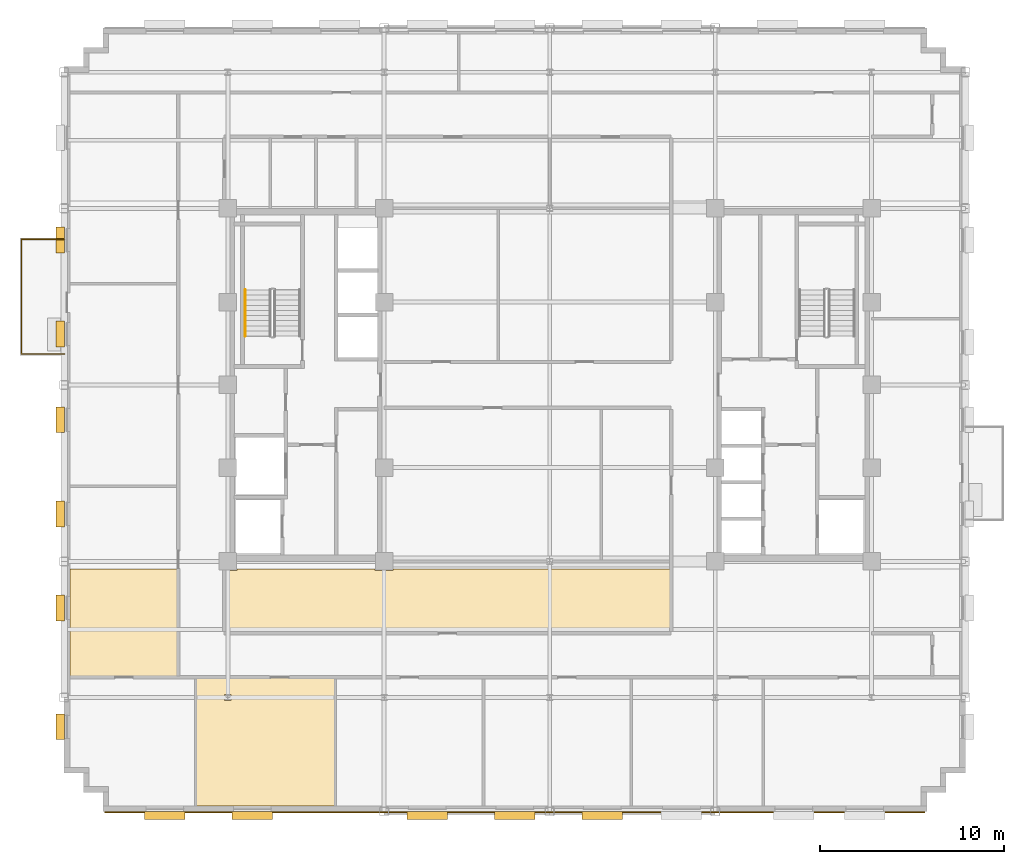
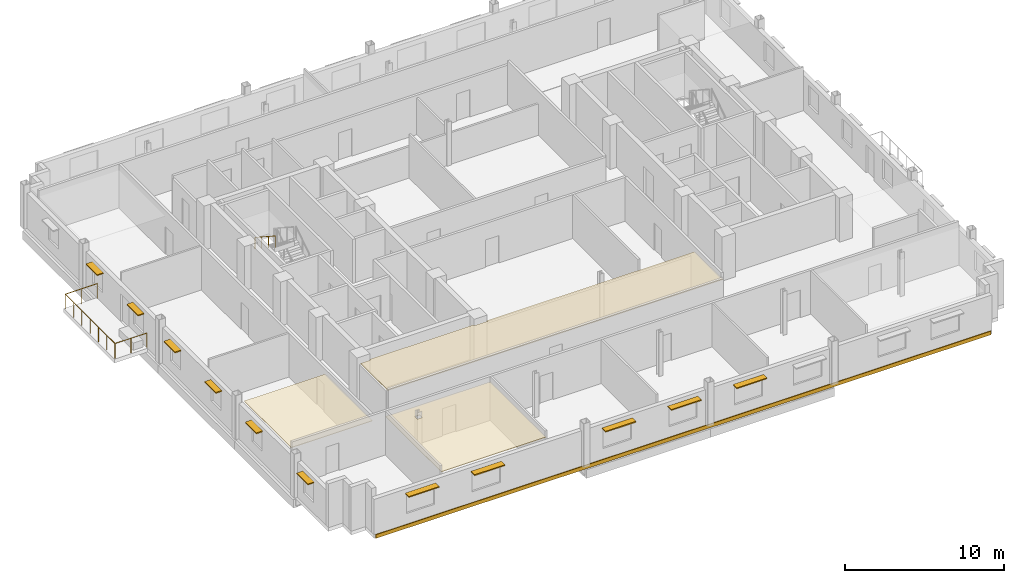
# One storey, part 12 of 15: 11 shading devices, 4 coverings, 2 railings.
"""IFC4 building model written with IfcOpenShell, lengths in metres."""

from ifc_helpers import new_model, si_unit, direction, frame, origin, origin_2d, place, context, subcontext, project, spatial, polyline, rectangle, circle, outline, extrude, source, transform, mapped, material, layer, layer_set, type_object, type_shapes, element, save


model = new_model("IFC4")

# Units and contexts
model_context = context("Model", 3, precision=1e-05, world=origin(), true_north=direction((0.0, 1.0)))
body_context = subcontext(model_context, "Body", "Model", "MODEL_VIEW")
ifc_project = project(units=[si_unit("LENGTHUNIT", "METRE"), si_unit("AREAUNIT", "SQUARE_METRE"), si_unit("VOLUMEUNIT", "CUBIC_METRE"), si_unit("PLANEANGLEUNIT", "RADIAN"), si_unit("MASSUNIT", "GRAM", prefix="KILO")], contexts=[model_context])

# Site, building, storey
site_placement = place(None, origin())
site = spatial("IfcSite", under=ifc_project, at=site_placement, CompositionType="ELEMENT")
building_placement = place(site_placement, origin())
building = spatial("IfcBuilding", under=site, at=building_placement, Name="Nuvemarco Arch Tower", CompositionType="ELEMENT")
storey_placement = place(building_placement, frame((0.0, 0.0, 198.199951171875)))
storey = spatial("IfcBuildingStorey", under=building, at=storey_placement, Name="L52", CompositionType="ELEMENT", Elevation=198.199951171875)

# Coverings
ifc_material_1 = material(Name="Mineral acoustic ceiling tile")
ifc_layer_1 = layer(ifc_material_1, 0.0400390625, Name="COV-ACOUSTIC-CLG")
ifc_layer_set_1 = layer_set([ifc_layer_1], Name="Mineral acoustic ceiling tile")
covering_type_1 = type_object("IfcCoveringType", Name="COV-ACOUSTIC-CLG", PredefinedType="CEILING", material=ifc_layer_set_1)
covering_1_placement = place(storey_placement, frame((0.0, 0.0, 2.85009765625)))
element("IfcCovering", 1, at=covering_1_placement, inside=storey, type_object=covering_type_1, Name="L52 suspended acoustic ceiling 1", PredefinedType="CEILING", context=body_context, shape_type="SweptSolid", body=[
    extrude(outline(polyline([(-9.489990234375, -10.090087890625), (-8.510009765625, -10.090087890625), (-8.510009765625, -10.0), (6.60009765625, -10.0), (6.60009765625, -13.5), (-17.699951171875, -13.5), (-17.699951171875, -10.090087890625), (-17.010009765625, -10.090087890625), (-17.010009765625, -10.0), (-9.489990234375, -10.0), (-9.489990234375, -10.090087890625)])), origin(), (0.0, 0.0, 1.0), 0.0400390625),
])
covering_2_placement = place(storey_placement, frame((0.0, 0.0, 2.85009765625)))
element("IfcCovering", 2, at=covering_2_placement, inside=storey, type_object=covering_type_1, Name="L52 suspended acoustic ceiling 6", PredefinedType="CEILING", context=body_context, shape_type="SweptSolid", body=[
    extrude(outline(polyline([(-20.199951171875, -15.89990234375), (-26.090087890625, -15.89990234375), (-26.090087890625, -10.0), (-20.199951171875, -10.0), (-20.199951171875, -13.5), (-20.199951171875, -15.89990234375)])), origin(), (0.0, 0.0, 1.0), 0.0400390625),
])
covering_3_placement = place(storey_placement, frame((0.0, 0.0, 2.85009765625)))
element("IfcCovering", 3, at=covering_3_placement, inside=storey, type_object=covering_type_1, Name="L52 suspended acoustic ceiling 8", PredefinedType="CEILING", context=body_context, shape_type="SweptSolid", body=[
    extrude(outline(polyline([(-11.64990234375, -22.889892578125), (-19.25, -22.889892578125), (-19.25, -15.89990234375), (-17.699951171875, -15.89990234375), (-11.64990234375, -15.89990234375), (-11.64990234375, -22.889892578125)]), holes=[polyline([(-17.330078125, -16.830078125), (-17.669921875, -16.830078125), (-17.669921875, -17.169921875), (-17.330078125, -17.169921875), (-17.330078125, -16.830078125)])]), origin(), (0.0, 0.0, 1.0), 0.0400390625),
])

# Railings
ifc_material_2 = material(Name="Brushed stainless steel handrail", Category="steel")
railing_type_1 = type_object("IfcRailingType", Name="RL-HANDRAIL-900", PredefinedType="HANDRAIL", material=ifc_material_2)
railing_1_placement = place(storey_placement, frame((-16.550048828125, 5.169921875, 2.007568359375)))
element("IfcRailing", 4, at=railing_1_placement, inside=storey, type_object=railing_type_1, Name="L52 ST-1 stair handrail 2", PredefinedType="HANDRAIL", context=body_context, shape_type="SweptSolid", body=[
    extrude(circle(Radius=0.02392578125, at=origin_2d()), frame((0.0, 0.0, 0.8759765625), z_axis=(0.0, -0.837749427056, 0.546054848405), x_axis=(1.0, 0.0, 0.0)), (0.0, 0.0, 1.0), 3.008056640625),
    extrude(circle(Radius=0.02099609375, at=origin_2d()), origin(), (0.0, 0.0, 1.0), 0.851806640625),
    extrude(circle(Radius=0.02099609375, at=origin_2d()), frame((0.0, -0.840087890625, 0.547607421875)), (0.0, 0.0, 1.0), 0.851806640625),
    extrude(circle(Radius=0.02099609375, at=origin_2d()), frame((0.0, -1.679931640625, 1.094970703125)), (0.0, 0.0, 1.0), 0.851806640625),
    extrude(circle(Radius=0.02099609375, at=origin_2d()), frame((0.0, -2.52001953125, 1.642578125)), (0.0, 0.0, 1.0), 0.851806640625),
])
ifc_material_3 = material(Name="Dark anodised balustrade steel S355", Category="steel")
railing_type_2 = type_object("IfcRailingType", Name="RL-TERR-GUARD", PredefinedType="BALUSTRADE", material=ifc_material_3)
railing_2_placement = place(storey_placement, frame((-26.39990234375, 1.679931640625, 0.0)))
element("IfcRailing", 5, at=railing_2_placement, inside=storey, type_object=railing_type_2, Name="L52 spiral terrace perimeter balustrade guard", PredefinedType="BALUSTRADE", context=body_context, shape_type="SweptSolid", body=[
    extrude(circle(Radius=0.02392578125, at=origin_2d()), frame((0.0, 0.0, 1.1259765625), z_axis=(-1.0, 0.0, 0.0), x_axis=(0.0, -1.0, 0.0)), (0.0, 0.0, 1.0), 2.320068359375),
    extrude(circle(Radius=0.02392578125, at=origin_2d()), frame((-2.320068359375, 0.0, 1.1259765625), z_axis=(0.0, 1.0, 0.0), x_axis=(-1.0, 0.0, 0.0)), (0.0, 0.0, 1.0), 6.239990234375),
    extrude(circle(Radius=0.02392578125, at=origin_2d()), frame((-2.320068359375, 6.239990234375, 1.1259765625), z_axis=(1.0, 0.0, 0.0), x_axis=(0.0, 1.0, 0.0)), (0.0, 0.0, 1.0), 2.320068359375),
    extrude(circle(Radius=0.02099609375, at=origin_2d()), origin(), (0.0, 0.0, 1.0), 1.101806640625),
    extrude(circle(Radius=0.02099609375, at=origin_2d()), frame((-1.16015625, 0.0, 0.0)), (0.0, 0.0, 1.0), 1.101806640625),
    extrude(circle(Radius=0.02099609375, at=origin_2d()), frame((-2.320068359375, 0.0, 0.0)), (0.0, 0.0, 1.0), 1.101806640625),
    extrude(circle(Radius=0.02099609375, at=origin_2d()), frame((-2.320068359375, 1.0400390625, 0.0)), (0.0, 0.0, 1.0), 1.101806640625),
    extrude(circle(Radius=0.02099609375, at=origin_2d()), frame((-2.320068359375, 2.080078125, 0.0)), (0.0, 0.0, 1.0), 1.101806640625),
    extrude(circle(Radius=0.02099609375, at=origin_2d()), frame((-2.320068359375, 3.1201171875, 0.0)), (0.0, 0.0, 1.0), 1.101806640625),
    extrude(circle(Radius=0.02099609375, at=origin_2d()), frame((-2.320068359375, 4.159912109375, 0.0)), (0.0, 0.0, 1.0), 1.101806640625),
    extrude(circle(Radius=0.02099609375, at=origin_2d()), frame((-2.320068359375, 5.199951171875, 0.0)), (0.0, 0.0, 1.0), 1.101806640625),
    extrude(circle(Radius=0.02099609375, at=origin_2d()), frame((-2.320068359375, 6.239990234375, 0.0)), (0.0, 0.0, 1.0), 1.101806640625),
    extrude(circle(Radius=0.02099609375, at=origin_2d()), frame((-1.16015625, 6.239990234375, 0.0)), (0.0, 0.0, 1.0), 1.101806640625),
    extrude(circle(Radius=0.02099609375, at=origin_2d()), frame((0.0, 6.239990234375, 0.0)), (0.0, 0.0, 1.0), 1.101806640625),
])

# Shading devices
ifc_material_4 = material(Name="Anodised aluminium 6063-T6", Category="aluminium")
shading_device_type_1 = type_object("IfcShadingDeviceType", Name="SHD-BRISE-SOLEIL", PredefinedType="USERDEFINED", material=ifc_material_4)
shared_shape_1 = source(origin(), body_context, "Body", "SweptSolid", [
    extrude(rectangle(XDim=2.199951171875, YDim=0.449951171875, at=origin_2d()), origin(), (0.0, 0.0, 1.0), 0.080078125),
])
type_shapes(shading_device_type_1, [shared_shape_1])
for number, where, z_axis, x_axis, name in (
    (6, (-20.922119140625, -23.4150390625, 2.324951171875), (0.0, 0.0, 1.0), (1.0, 0.0, 0.0), "L52 horizontal brise-soleil sunshade"),
    (7, (-16.166748046875, -23.4150390625, 2.324951171875), (0.0, 0.0, 1.0), (1.0, 0.0, 0.0), "L52 horizontal brise-soleil sunshade"),
    (8, (-6.655517578125, -23.4150390625, 2.324951171875), (0.0, 0.0, 1.0), (1.0, 0.0, 0.0), "L52 horizontal brise-soleil sunshade"),
    (9, (-1.89990234375, -23.4150390625, 2.324951171875), (0.0, 0.0, 1.0), (1.0, 0.0, 0.0), "L52 horizontal brise-soleil sunshade"),
    (10, (2.855712890625, -23.4150390625, 2.324951171875), (0.0, 0.0, 1.0), (1.0, 0.0, 0.0), "L52 horizontal brise-soleil sunshade"),
):
    element("IfcShadingDevice", number, at=place(storey_placement, frame(where, z_axis=z_axis, x_axis=x_axis)), inside=storey, type_object=shading_device_type_1, Name=name, ObjectType="SUNSHADE", PredefinedType="USERDEFINED", context=body_context, shape_type="MappedRepresentation", body=[
        mapped(shared_shape_1, transform((0.0, 0.0, 0.0), scale=1.0)),
    ])
shading_device_type_2 = type_object("IfcShadingDeviceType", Name="SHD-BRISE-NARROW", PredefinedType="USERDEFINED", material=ifc_material_4)
shared_shape_2 = source(origin(), body_context, "Body", "SweptSolid", [
    extrude(rectangle(XDim=1.39990234375, YDim=0.449951171875, at=origin_2d()), origin(), (0.0, 0.0, 1.0), 0.080078125),
])
type_shapes(shading_device_type_2, [shared_shape_2])
for number, where, z_axis, x_axis, name in (
    (11, (-26.614990234375, -18.587646484375, 2.324951171875), (0.0, 0.0, 1.0), (0.0, 1.0, 0.0), "L52 horizontal brise-soleil sunshade"),
    (12, (-26.614990234375, -12.125, 2.324951171875), (0.0, 0.0, 1.0), (0.0, 1.0, 0.0), "L52 horizontal brise-soleil sunshade"),
    (13, (-26.614990234375, -7.0126953125, 2.324951171875), (0.0, 0.0, 1.0), (0.0, 1.0, 0.0), "L52 horizontal brise-soleil sunshade"),
    (14, (-26.614990234375, -1.89990234375, 2.324951171875), (0.0, 0.0, 1.0), (0.0, 1.0, 0.0), "L52 horizontal brise-soleil sunshade"),
    (15, (-26.614990234375, 2.7626953125, 2.324951171875), (0.0, 0.0, 1.0), (0.0, 1.0, 0.0), "L52 horizontal brise-soleil sunshade"),
    (16, (-26.614990234375, 7.875, 2.324951171875), (0.0, 0.0, 1.0), (0.0, 1.0, 0.0), "L52 horizontal brise-soleil sunshade"),
):
    element("IfcShadingDevice", number, at=place(storey_placement, frame(where, z_axis=z_axis, x_axis=x_axis)), inside=storey, type_object=shading_device_type_2, Name=name, ObjectType="SUNSHADE", PredefinedType="USERDEFINED", context=body_context, shape_type="MappedRepresentation", body=[
        mapped(shared_shape_2, transform((0.0, 0.0, 0.0), scale=1.0)),
    ])

# Covering
ifc_material_5 = material(Name="Precast concrete C45/55", Category="concrete")
ifc_layer_2 = layer(ifc_material_5, 0.06005859375, Name="COV-SPANDREL-CLAD")
ifc_layer_set_2 = layer_set([ifc_layer_2], Name="Precast concrete C45/55")
covering_type_2 = type_object("IfcCoveringType", Name="COV-SPANDREL-CLAD", PredefinedType="CLADDING", material=ifc_layer_set_2)
shared_shape_3 = source(origin(), body_context, "Body", "SweptSolid", [
    extrude(rectangle(XDim=44.60009765625, YDim=0.06005859375, at=origin_2d()), origin(), (0.0, 0.0, 1.0), 0.280029296875),
])
type_shapes(covering_type_2, [shared_shape_3])
covering_4_placement = place(storey_placement, frame((-1.89990234375, -23.22900390625, -0.27978515625), z_axis=(0.0, 0.0, 1.0), x_axis=(1.0, 0.0, 0.0)))
element("IfcCovering", 17, at=covering_4_placement, inside=storey, type_object=covering_type_2, Name="L52 precast spandrel edge cladding south", PredefinedType="CLADDING", context=body_context, shape_type="MappedRepresentation", body=[
    mapped(shared_shape_3, transform((0.0, 0.0, 0.0), scale=1.0)),
])

save(model, "model.ifc")
